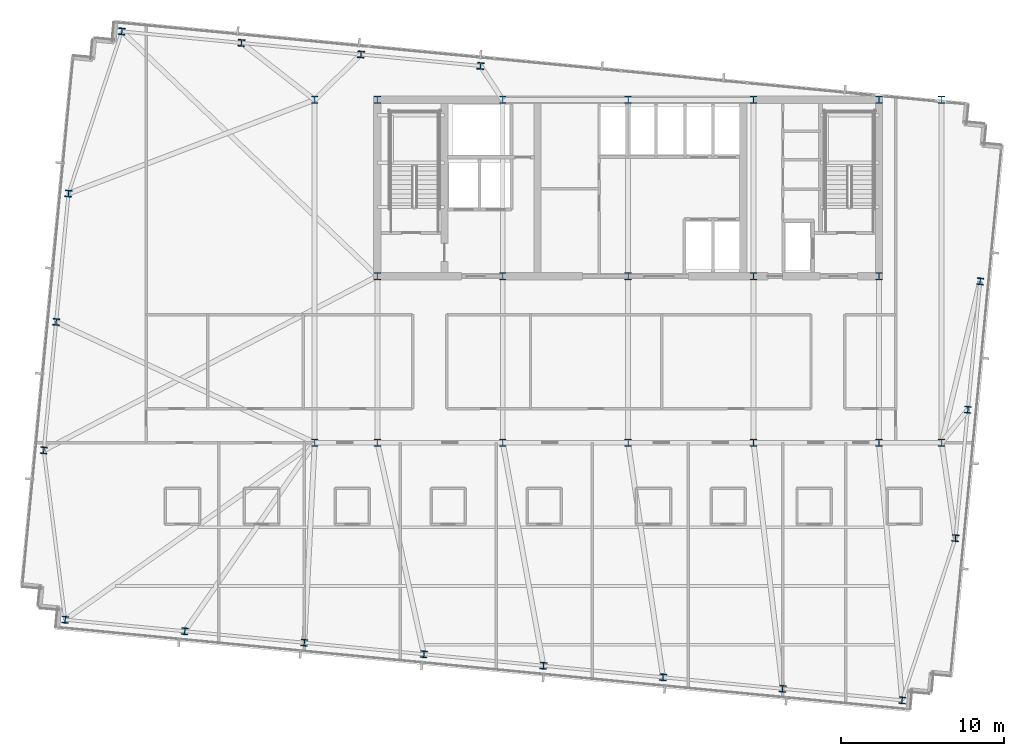
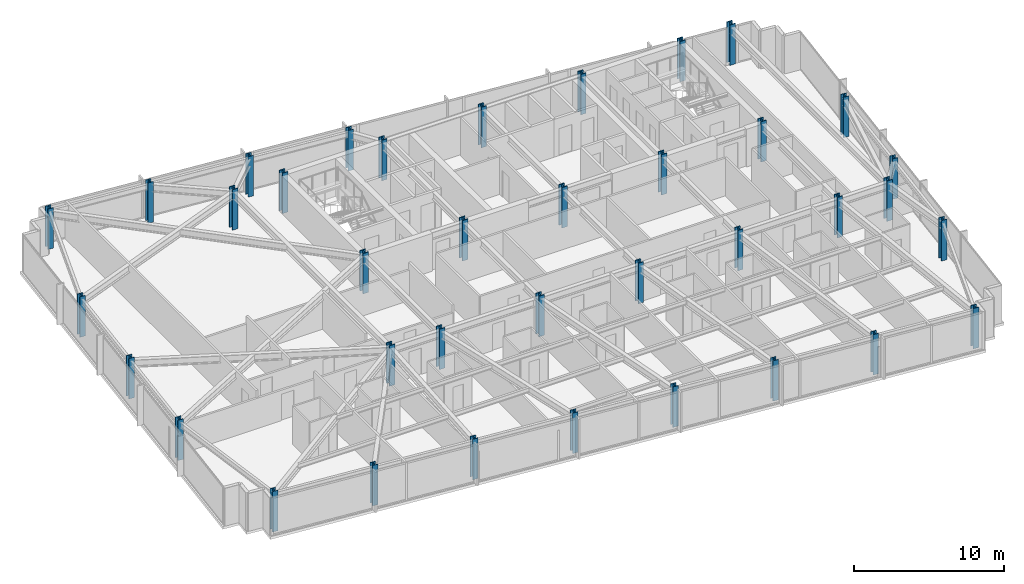
# One storey, part 1 of 37: 37 columns.
"""IFC4 building model written with IfcOpenShell, lengths in metres."""

from ifc_helpers import new_model, si_unit, direction, frame, origin, origin_2d, place, context, subcontext, project, spatial, i_section, extrude, material, material_profile, profile_set, type_object, element, save


model = new_model("IFC4")

# Units and contexts
model_context = context("Model", 3, precision=1e-05, world=origin(), true_north=direction((0.0, 1.0)))
body_context = subcontext(model_context, "Body", "Model", "MODEL_VIEW")
ifc_project = project(units=[si_unit("LENGTHUNIT", "METRE"), si_unit("AREAUNIT", "SQUARE_METRE"), si_unit("VOLUMEUNIT", "CUBIC_METRE"), si_unit("PLANEANGLEUNIT", "RADIAN"), si_unit("MASSUNIT", "GRAM", prefix="KILO")], contexts=[model_context])

# Site, building, storey
site_placement = place(None, origin())
site = spatial("IfcSite", under=ifc_project, at=site_placement, CompositionType="ELEMENT")
building_placement = place(site_placement, origin())
building = spatial("IfcBuilding", under=site, at=building_placement, Name="Yelkora Congress Tower", CompositionType="ELEMENT")
storey_placement = place(building_placement, frame((0.0, 0.0, 162.199951171875)))
storey = spatial("IfcBuildingStorey", under=building, at=storey_placement, Name="L44", CompositionType="ELEMENT", Elevation=162.199951171875)

# Columns
ifc_material = material(Name="Steel S460M", Category="steel")
ifc_material_profile_1 = material_profile(ifc_material, i_section(OverallWidth=0.406005859375, OverallDepth=0.416015625, WebThickness=0.02978515625, FlangeThickness=0.048095703125, FilletRadius=0.014892578125, at=origin_2d()), Name="HD 400x382")
ifc_profile_set_1 = profile_set([ifc_material_profile_1], Name="Steel S460M")
column_type_1 = type_object("IfcColumnType", Name="COL-HD-382-EXT", PredefinedType="COLUMN", material=ifc_profile_set_1)
for number, where, z_axis, x_axis, name in (
    (1, (3.919189453125, 14.357421875, 0.0), (0.0, 0.0, 1.0), (0.995396198367, -0.09584575252, 0.0), "L44 Perimeter Column S01"),
    (2, (11.242431640625, 13.652099609375, 0.0), (0.0, 0.0, 1.0), (0.995396198367, -0.09584575252, 0.0), "L44 Perimeter Column S02"),
    (3, (18.56591796875, 12.947021484375, 0.0), (0.0, 0.0, 1.0), (0.995396198367, -0.09584575252, 0.0), "L44 Perimeter Column S03"),
    (4, (25.888916015625, 12.24169921875, 0.0), (0.0, 0.0, 1.0), (0.995396198367, -0.09584575252, 0.0), "L44 Perimeter Column S04"),
    (5, (33.21240234375, 11.53662109375, 0.0), (0.0, 0.0, 1.0), (0.995396198367, -0.09584575252, 0.0), "L44 Perimeter Column S05"),
    (6, (40.53564453125, 10.83154296875, 0.0), (0.0, 0.0, 1.0), (0.995396198367, -0.09584575252, 0.0), "L44 Perimeter Column S06"),
    (7, (47.85888671875, 10.12646484375, 0.0), (0.0, 0.0, 1.0), (0.995396198367, -0.09584575252, 0.0), "L44 Perimeter Column S07"),
    (8, (55.18212890625, 9.421142578125, 0.0), (0.0, 0.0, 1.0), (0.995396198367, -0.09584575252, 0.0), "L44 Perimeter Column S08"),
    (9, (7.388916015625, 50.390625, 0.0), (0.0, 0.0, 1.0), (0.995396198367, -0.09584575252, 0.0), "L44 Perimeter Column N01"),
    (10, (14.712158203125, 49.685546875, 0.0), (0.0, 0.0, 1.0), (0.995396198367, -0.09584575252, 0.0), "L44 Perimeter Column N02"),
    (11, (22.035400390625, 48.980224609375, 0.0), (0.0, 0.0, 1.0), (0.995396198367, -0.09584575252, 0.0), "L44 Perimeter Column N03"),
    (12, (29.358642578125, 48.275146484375, 0.0), (0.0, 0.0, 1.0), (0.995396198367, -0.09584575252, 0.0), "L44 Perimeter Column N04"),
    (13, (2.607421875, 24.730712890625, 0.0), (0.0, 0.0, 1.0), (0.995396198367, -0.09584575252, 0.0), "L44 Perimeter Column W01"),
    (14, (58.44921875, 19.353759765625, 0.0), (0.0, 0.0, 1.0), (0.995396198367, -0.09584575252, 0.0), "L44 Perimeter Column E01"),
    (15, (3.364501953125, 32.594482421875, 0.0), (0.0, 0.0, 1.0), (0.995396198367, -0.09584575252, 0.0), "L44 Perimeter Column W02"),
    (16, (59.206298828125, 27.217529296875, 0.0), (0.0, 0.0, 1.0), (0.995396198367, -0.09584575252, 0.0), "L44 Perimeter Column E02"),
    (17, (4.121826171875, 40.4580078125, 0.0), (0.0, 0.0, 1.0), (0.995396198367, -0.09584575252, 0.0), "L44 Perimeter Column W03"),
    (18, (59.96337890625, 35.0810546875, 0.0), (0.0, 0.0, 1.0), (0.995396198367, -0.09584575252, 0.0), "L44 Perimeter Column E03"),
):
    element("IfcColumn", number, at=place(storey_placement, frame(where, z_axis=z_axis, x_axis=x_axis)), inside=storey, type_object=column_type_1, Name=name, PredefinedType="COLUMN", context=body_context, shape_type="SweptSolid", body=[
        extrude(i_section(OverallWidth=0.406005859375, OverallDepth=0.416015625, WebThickness=0.02978515625, FlangeThickness=0.048095703125, FilletRadius=0.014892578125, at=origin_2d()), origin(), (0.0, 0.0, 1.0), 3.300048828125),
    ])
ifc_material_profile_2 = material_profile(ifc_material, i_section(OverallWidth=0.41796875, OverallDepth=0.455078125, WebThickness=0.0419921875, FlangeThickness=0.068115234375, FilletRadius=0.014892578125, at=origin_2d()), Name="HD 400x551")
ifc_profile_set_2 = profile_set([ifc_material_profile_2], Name="Steel S460M")
column_type_2 = type_object("IfcColumnType", Name="COL-HD-551", PredefinedType="COLUMN", material=ifc_profile_set_2)
for number, where, z_axis, x_axis, name in (
    (19, (23.0400390625, 35.39990234375, 0.0), (0.0, 0.0, 1.0), (1.0, 0.0, 0.0), "L44 Mega Column MC-S1"),
    (20, (23.0400390625, 46.199951171875, 0.0), (0.0, 0.0, 1.0), (1.0, 0.0, 0.0), "L44 Mega Column MC-N1"),
    (21, (23.0400390625, 25.199951171875, 0.0), (0.0, 0.0, 1.0), (1.0, 0.0, 0.0), "L44 Mega Column MC-D1"),
    (22, (30.719970703125, 35.39990234375, 0.0), (0.0, 0.0, 1.0), (1.0, 0.0, 0.0), "L44 Mega Column MC-S2"),
    (23, (30.719970703125, 46.199951171875, 0.0), (0.0, 0.0, 1.0), (1.0, 0.0, 0.0), "L44 Mega Column MC-N2"),
    (24, (30.719970703125, 25.199951171875, 0.0), (0.0, 0.0, 1.0), (1.0, 0.0, 0.0), "L44 Mega Column MC-D2"),
    (25, (38.39990234375, 35.39990234375, 0.0), (0.0, 0.0, 1.0), (1.0, 0.0, 0.0), "L44 Mega Column MC-S3"),
    (26, (38.39990234375, 46.199951171875, 0.0), (0.0, 0.0, 1.0), (1.0, 0.0, 0.0), "L44 Mega Column MC-N3"),
    (27, (38.39990234375, 25.199951171875, 0.0), (0.0, 0.0, 1.0), (1.0, 0.0, 0.0), "L44 Mega Column MC-D3"),
    (28, (46.080078125, 35.39990234375, 0.0), (0.0, 0.0, 1.0), (1.0, 0.0, 0.0), "L44 Mega Column MC-S4"),
    (29, (46.080078125, 46.199951171875, 0.0), (0.0, 0.0, 1.0), (1.0, 0.0, 0.0), "L44 Mega Column MC-N4"),
    (30, (46.080078125, 25.199951171875, 0.0), (0.0, 0.0, 1.0), (1.0, 0.0, 0.0), "L44 Mega Column MC-D4"),
    (31, (53.760009765625, 35.39990234375, 0.0), (0.0, 0.0, 1.0), (1.0, 0.0, 0.0), "L44 Mega Column MC-S5"),
    (32, (53.760009765625, 46.199951171875, 0.0), (0.0, 0.0, 1.0), (1.0, 0.0, 0.0), "L44 Mega Column MC-N5"),
    (33, (53.760009765625, 25.199951171875, 0.0), (0.0, 0.0, 1.0), (1.0, 0.0, 0.0), "L44 Mega Column MC-D5"),
    (34, (19.199951171875, 25.199951171875, 0.0), (0.0, 0.0, 1.0), (1.0, 0.0, 0.0), "L44 Mega Column MC-F1"),
    (35, (57.60009765625, 25.199951171875, 0.0), (0.0, 0.0, 1.0), (1.0, 0.0, 0.0), "L44 Mega Column MC-F2"),
    (36, (19.199951171875, 46.199951171875, 0.0), (0.0, 0.0, 1.0), (1.0, 0.0, 0.0), "L44 Mega Column MC-F3"),
    (37, (57.60009765625, 46.199951171875, 0.0), (0.0, 0.0, 1.0), (1.0, 0.0, 0.0), "L44 Mega Column MC-F4"),
):
    element("IfcColumn", number, at=place(storey_placement, frame(where, z_axis=z_axis, x_axis=x_axis)), inside=storey, type_object=column_type_2, Name=name, PredefinedType="COLUMN", context=body_context, shape_type="SweptSolid", body=[
        extrude(i_section(OverallWidth=0.41796875, OverallDepth=0.455078125, WebThickness=0.0419921875, FlangeThickness=0.068115234375, FilletRadius=0.014892578125, at=origin_2d()), origin(), (0.0, 0.0, 1.0), 3.300048828125),
    ])

save(model, "model.ifc")
